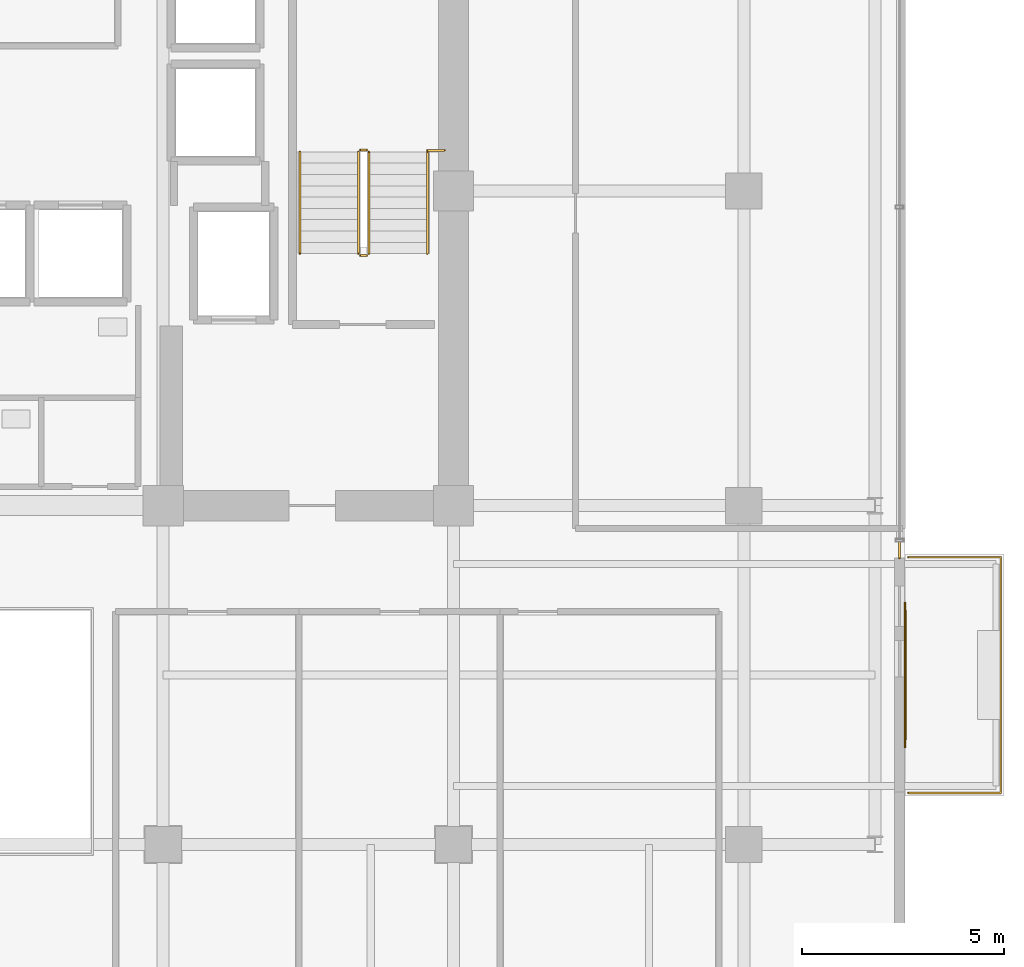
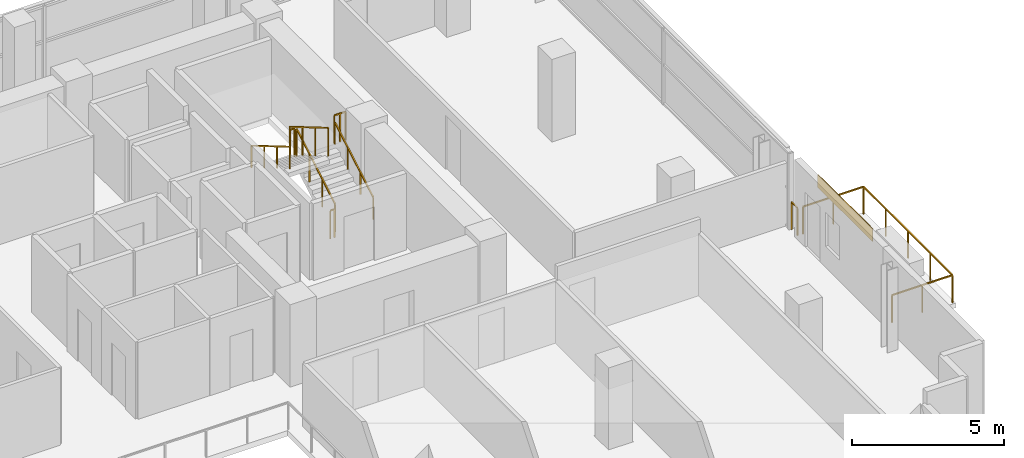
# One storey, part 26 of 27: 9 railings, 1 covering, 1 shading device.
"""IFC4 building model written with IfcOpenShell, lengths in metres."""

from ifc_helpers import new_model, si_unit, direction, frame, origin, origin_2d, place, context, subcontext, project, spatial, rectangle, extrude, source, transform, mapped, material, layer, layer_set, type_object, element, save


model = new_model("IFC4")

# Units and contexts
model_context = context("Model", 3, precision=1e-05, world=origin(), true_north=direction((0.0, 1.0)))
body_context = subcontext(model_context, "Body", "Model", "MODEL_VIEW")
ifc_project = project(units=[si_unit("LENGTHUNIT", "METRE"), si_unit("AREAUNIT", "SQUARE_METRE"), si_unit("VOLUMEUNIT", "CUBIC_METRE"), si_unit("PLANEANGLEUNIT", "RADIAN"), si_unit("MASSUNIT", "GRAM", prefix="KILO")], contexts=[model_context])

# Site, building, storey
site_placement = place(None, origin())
site = spatial("IfcSite", under=ifc_project, at=site_placement, CompositionType="ELEMENT")
building_placement = place(site_placement, origin())
building = spatial("IfcBuilding", under=site, at=building_placement, Name="Zarnakvel Exchange Tower", CompositionType="ELEMENT")
storey_placement = place(building_placement, frame((0.0, 0.0, 106.60009765625)))
storey = spatial("IfcBuildingStorey", under=building, at=storey_placement, Name="L29", CompositionType="ELEMENT", Elevation=106.60009765625)

# Railings
ifc_material_1 = material(Name="Architectural Bronze Anodised Aluminium", Category="aluminium")
railing_type_1 = type_object("IfcRailingType", Name="GR-02", PredefinedType="GUARDRAIL", material=ifc_material_1)
railing_1_placement = place(storey_placement, frame((25.679931640625, -8.320068359375, -0.03515625)))
element("IfcRailing", 1, at=railing_1_placement, inside=storey, type_object=railing_type_1, Name="L29 Balcony Guardrail BAL-L29-E", PredefinedType="GUARDRAIL", context=body_context, shape_type="SweptSolid", body=[
    extrude(rectangle(XDim=0.048095703125, YDim=0.048095703125, at=origin_2d()), frame((0.0, 0.0, 1.09619140625), z_axis=(1.0, 0.0, 0.0), x_axis=(0.0, 1.0, 0.0)), (0.0, 0.0, 1.0), 2.2900390625),
    extrude(rectangle(XDim=0.048095703125, YDim=0.048095703125, at=origin_2d()), frame((2.2900390625, 0.0, 1.09619140625), z_axis=(0.0, 1.0, 0.0), x_axis=(-1.0, 0.0, 0.0)), (0.0, 0.0, 1.0), 5.840087890625),
    extrude(rectangle(XDim=0.048095703125, YDim=0.048095703125, at=origin_2d()), frame((2.2900390625, 5.840087890625, 1.09619140625), z_axis=(-1.0, 0.0, 0.0), x_axis=(0.0, -1.0, 0.0)), (0.0, 0.0, 1.0), 2.2900390625),
    extrude(rectangle(XDim=0.0419921875, YDim=0.0419921875, at=origin_2d()), origin(), (0.0, 0.0, 1.0), 1.072021484375),
    extrude(rectangle(XDim=0.0419921875, YDim=0.0419921875, at=origin_2d()), frame((1.14501953125, 0.0, 0.0)), (0.0, 0.0, 1.0), 1.072021484375),
    extrude(rectangle(XDim=0.0419921875, YDim=0.0419921875, at=origin_2d()), frame((2.2900390625, 0.0, 0.0)), (0.0, 0.0, 1.0), 1.072021484375),
    extrude(rectangle(XDim=0.0419921875, YDim=0.0419921875, at=origin_2d()), frame((2.2900390625, 1.4599609375, 0.0)), (0.0, 0.0, 1.0), 1.072021484375),
    extrude(rectangle(XDim=0.0419921875, YDim=0.0419921875, at=origin_2d()), frame((2.2900390625, 2.919921875, 0.0)), (0.0, 0.0, 1.0), 1.072021484375),
    extrude(rectangle(XDim=0.0419921875, YDim=0.0419921875, at=origin_2d()), frame((2.2900390625, 4.380126953125, 0.0)), (0.0, 0.0, 1.0), 1.072021484375),
    extrude(rectangle(XDim=0.0419921875, YDim=0.0419921875, at=origin_2d()), frame((2.2900390625, 5.840087890625, 0.0)), (0.0, 0.0, 1.0), 1.072021484375),
    extrude(rectangle(XDim=0.0419921875, YDim=0.0419921875, at=origin_2d()), frame((1.14501953125, 5.840087890625, 0.0)), (0.0, 0.0, 1.0), 1.072021484375),
    extrude(rectangle(XDim=0.0419921875, YDim=0.0419921875, at=origin_2d()), frame((0.0, 5.840087890625, 0.0)), (0.0, 0.0, 1.0), 1.072021484375),
])
railing_2_placement = place(storey_placement, frame((25.4599609375, -2.10009765625, 0.0)))
element("IfcRailing", 2, at=railing_2_placement, inside=storey, type_object=railing_type_1, Name="L29 Corner Spandrel Balustrade #9", PredefinedType="GUARDRAIL", context=body_context, shape_type="SweptSolid", body=[
    extrude(rectangle(XDim=0.048095703125, YDim=0.048095703125, at=origin_2d()), frame((0.0, 0.0, 1.09619140625), z_axis=(0.0, -1.0, 0.0), x_axis=(1.0, 0.0, 0.0)), (0.0, 0.0, 1.0), 0.39990234375),
    extrude(rectangle(XDim=0.0419921875, YDim=0.0419921875, at=origin_2d()), origin(), (0.0, 0.0, 1.0), 1.072021484375),
    extrude(rectangle(XDim=0.0419921875, YDim=0.0419921875, at=origin_2d()), frame((0.0, -0.39990234375, 0.0)), (0.0, 0.0, 1.0), 1.072021484375),
])
ifc_material_2 = material(Name="Brushed Stainless Steel", Category="steel")
railing_type_2 = type_object("IfcRailingType", Name="HR-01", PredefinedType="HANDRAIL", material=ifc_material_2)
railing_3_placement = place(storey_placement, frame((13.75, 5.050048828125, 0.164794921875)))
element("IfcRailing", 3, at=railing_3_placement, inside=storey, type_object=railing_type_2, Name="L29 ST-02 stair handrail 1", PredefinedType="HANDRAIL", context=body_context, shape_type="SweptSolid", body=[
    extrude(rectangle(XDim=0.048095703125, YDim=0.048095703125, at=origin_2d()), frame((0.0, 0.0, 0.8759765625), z_axis=(0.0, 0.86152411907, 0.507716645641), x_axis=(-1.0, 0.0, 0.0)), (0.0, 0.0, 1.0), 2.925048828125),
    extrude(rectangle(XDim=0.0419921875, YDim=0.0419921875, at=origin_2d()), origin(), (0.0, 0.0, 1.0), 0.851806640625),
    extrude(rectangle(XDim=0.0419921875, YDim=0.0419921875, at=origin_2d()), frame((0.0, 0.840087890625, 0.4951171875)), (0.0, 0.0, 1.0), 0.851806640625),
    extrude(rectangle(XDim=0.0419921875, YDim=0.0419921875, at=origin_2d()), frame((0.0, 1.679931640625, 0.989990234375)), (0.0, 0.0, 1.0), 0.851806640625),
    extrude(rectangle(XDim=0.0419921875, YDim=0.0419921875, at=origin_2d()), frame((0.0, 2.52001953125, 1.485107421875)), (0.0, 0.0, 1.0), 0.851806640625),
])
railing_4_placement = place(storey_placement, frame((10.590087890625, 7.570068359375, 1.81494140625)))
element("IfcRailing", 4, at=railing_4_placement, inside=storey, type_object=railing_type_2, Name="L29 ST-02 stair handrail 2", PredefinedType="HANDRAIL", context=body_context, shape_type="SweptSolid", body=[
    extrude(rectangle(XDim=0.048095703125, YDim=0.048095703125, at=origin_2d()), frame((0.0, 0.0, 0.8759765625), z_axis=(0.0, -0.861560626758, 0.507654692109), x_axis=(1.0, 0.0, 0.0)), (0.0, 0.0, 1.0), 2.925048828125),
    extrude(rectangle(XDim=0.0419921875, YDim=0.0419921875, at=origin_2d()), origin(), (0.0, 0.0, 1.0), 0.851806640625),
    extrude(rectangle(XDim=0.0419921875, YDim=0.0419921875, at=origin_2d()), frame((0.0, -0.840087890625, 0.494873046875)), (0.0, 0.0, 1.0), 0.851806640625),
    extrude(rectangle(XDim=0.0419921875, YDim=0.0419921875, at=origin_2d()), frame((0.0, -1.679931640625, 0.989990234375)), (0.0, 0.0, 1.0), 0.851806640625),
    extrude(rectangle(XDim=0.0419921875, YDim=0.0419921875, at=origin_2d()), frame((0.0, -2.52001953125, 1.48486328125)), (0.0, 0.0, 1.0), 0.851806640625),
])
railing_type_3 = type_object("IfcRailingType", Name="SG-01", PredefinedType="GUARDRAIL", material=ifc_material_1)
railing_5_placement = place(storey_placement, frame((12.300048828125, 5.050048828125, 0.164794921875)))
element("IfcRailing", 5, at=railing_5_placement, inside=storey, type_object=railing_type_3, Name="L29 ST-02 stair guard 1", PredefinedType="GUARDRAIL", context=body_context, shape_type="SweptSolid", body=[
    extrude(rectangle(XDim=0.048095703125, YDim=0.048095703125, at=origin_2d()), frame((0.0, 0.0, 1.1259765625), z_axis=(0.0, 0.86152411907, 0.507716645641), x_axis=(-1.0, 0.0, 0.0)), (0.0, 0.0, 1.0), 2.925048828125),
    extrude(rectangle(XDim=0.0419921875, YDim=0.0419921875, at=origin_2d()), origin(), (0.0, 0.0, 1.0), 1.101806640625),
    extrude(rectangle(XDim=0.0419921875, YDim=0.0419921875, at=origin_2d()), frame((0.0, 0.840087890625, 0.4951171875)), (0.0, 0.0, 1.0), 1.101806640625),
    extrude(rectangle(XDim=0.0419921875, YDim=0.0419921875, at=origin_2d()), frame((0.0, 1.679931640625, 0.989990234375)), (0.0, 0.0, 1.0), 1.101806640625),
    extrude(rectangle(XDim=0.0419921875, YDim=0.0419921875, at=origin_2d()), frame((0.0, 2.52001953125, 1.485107421875)), (0.0, 0.0, 1.0), 1.101806640625),
])
railing_6_placement = place(storey_placement, frame((12.25, 7.6201171875, 1.64990234375)))
element("IfcRailing", 6, at=railing_6_placement, inside=storey, type_object=railing_type_3, Name="L29 ST-02 stair guard 2", PredefinedType="GUARDRAIL", context=body_context, shape_type="SweptSolid", body=[
    extrude(rectangle(XDim=0.048095703125, YDim=0.048095703125, at=origin_2d()), frame((0.0, 0.0, 1.1259765625), z_axis=(-1.0, 0.0, 0.0), x_axis=(0.0, -1.0, 0.0)), (0.0, 0.0, 1.0), 0.159912109375),
    extrude(rectangle(XDim=0.0419921875, YDim=0.0419921875, at=origin_2d()), origin(), (0.0, 0.0, 1.0), 1.101806640625),
    extrude(rectangle(XDim=0.0419921875, YDim=0.0419921875, at=origin_2d()), frame((-0.159912109375, 0.0, 0.0)), (0.0, 0.0, 1.0), 1.101806640625),
])
railing_7_placement = place(storey_placement, frame((12.0400390625, 7.570068359375, 1.81494140625)))
element("IfcRailing", 7, at=railing_7_placement, inside=storey, type_object=railing_type_3, Name="L29 ST-02 stair guard 3", PredefinedType="GUARDRAIL", context=body_context, shape_type="SweptSolid", body=[
    extrude(rectangle(XDim=0.048095703125, YDim=0.048095703125, at=origin_2d()), frame((0.0, 0.0, 1.1259765625), z_axis=(0.0, -0.861560626758, 0.507654692109), x_axis=(1.0, 0.0, 0.0)), (0.0, 0.0, 1.0), 2.925048828125),
    extrude(rectangle(XDim=0.0419921875, YDim=0.0419921875, at=origin_2d()), origin(), (0.0, 0.0, 1.0), 1.101806640625),
    extrude(rectangle(XDim=0.0419921875, YDim=0.0419921875, at=origin_2d()), frame((0.0, -0.840087890625, 0.494873046875)), (0.0, 0.0, 1.0), 1.101806640625),
    extrude(rectangle(XDim=0.0419921875, YDim=0.0419921875, at=origin_2d()), frame((0.0, -1.679931640625, 0.989990234375)), (0.0, 0.0, 1.0), 1.101806640625),
    extrude(rectangle(XDim=0.0419921875, YDim=0.0419921875, at=origin_2d()), frame((0.0, -2.52001953125, 1.48486328125)), (0.0, 0.0, 1.0), 1.101806640625),
])
railing_8_placement = place(storey_placement, frame((12.25, 5.0, 0.0)))
element("IfcRailing", 8, at=railing_8_placement, inside=storey, type_object=railing_type_3, Name="L29 ST-02 stair guard 4", PredefinedType="GUARDRAIL", context=body_context, shape_type="SweptSolid", body=[
    extrude(rectangle(XDim=0.048095703125, YDim=0.048095703125, at=origin_2d()), frame((0.0, 0.0, 1.1259765625), z_axis=(-1.0, 0.0, 0.0), x_axis=(0.0, -1.0, 0.0)), (0.0, 0.0, 1.0), 0.159912109375),
    extrude(rectangle(XDim=0.0419921875, YDim=0.0419921875, at=origin_2d()), origin(), (0.0, 0.0, 1.0), 1.101806640625),
    extrude(rectangle(XDim=0.0419921875, YDim=0.0419921875, at=origin_2d()), frame((-0.159912109375, 0.0, 0.0)), (0.0, 0.0, 1.0), 1.101806640625),
])
railing_9_placement = place(storey_placement, frame((13.75, 7.610107421875, 1.64990234375)))
element("IfcRailing", 9, at=railing_9_placement, inside=storey, type_object=railing_type_3, Name="L29 ST-02 Landing Slot Guardrail", PredefinedType="GUARDRAIL", context=body_context, shape_type="SweptSolid", body=[
    extrude(rectangle(XDim=0.048095703125, YDim=0.048095703125, at=origin_2d()), frame((0.0, 0.0, 1.1259765625), z_axis=(1.0, 0.0, 0.0), x_axis=(0.0, 1.0, 0.0)), (0.0, 0.0, 1.0), 0.429931640625),
    extrude(rectangle(XDim=0.0419921875, YDim=0.0419921875, at=origin_2d()), origin(), (0.0, 0.0, 1.0), 1.101806640625),
    extrude(rectangle(XDim=0.0419921875, YDim=0.0419921875, at=origin_2d()), frame((0.21484375, 0.0, 0.0)), (0.0, 0.0, 1.0), 1.101806640625),
    extrude(rectangle(XDim=0.0419921875, YDim=0.0419921875, at=origin_2d()), frame((0.429931640625, 0.0, 0.0)), (0.0, 0.0, 1.0), 1.101806640625),
])

# Covering
ifc_material_3 = material(Name="Warm Sandstone Terracotta Spandrel Tile", Category="masonry")
ifc_layer_1 = layer(ifc_material_3, 0.031982421875)
ifc_layer_set_1 = layer_set([ifc_layer_1], Name="Warm Sandstone Terracotta Spandrel Tile")
covering_type = type_object("IfcCoveringType", Name="CL-02", PredefinedType="CLADDING", material=ifc_layer_set_1)
shared_shape_1 = source(origin(), body_context, "Body", "SweptSolid", [
    extrude(rectangle(XDim=3.60009765625, YDim=0.031982421875, at=origin_2d()), origin(), (0.0, 0.0, 1.0), 0.4951171875),
])
covering_placement = place(storey_placement, frame((25.593994140625, -5.39990234375, 2.559814453125), z_axis=(0.0, 0.0, 1.0), x_axis=(0.0, -1.0, 0.0)))
element("IfcCovering", 10, at=covering_placement, inside=storey, type_object=covering_type, Name="L29 Ceramic Spandrel Tilework CL-02", PredefinedType="CLADDING", context=body_context, shape_type="MappedRepresentation", body=[
    mapped(shared_shape_1, transform((0.0, 0.0, 0.0), x_axis=(1.0, 0.0, 0.0), y_axis=(0.0, 1.0, 0.0), z_axis=(0.0, 0.0, 1.0), scale=1.0)),
])

# Shading device
ifc_material_4 = material(Name="Perforated Architectural Bronze Screen", Category="aluminium")
ifc_layer_2 = layer(ifc_material_4, 0.044921875)
ifc_layer_set_2 = layer_set([ifc_layer_2], Name="Perforated Architectural Bronze Screen")
shading_device_type = type_object("IfcShadingDeviceType", Name="SS-01", PredefinedType="JALOUSIE", material=ifc_layer_set_2)
shared_shape_2 = source(origin(), body_context, "Body", "SweptSolid", [
    extrude(rectangle(XDim=3.199951171875, YDim=0.044921875, at=origin_2d()), origin(), (0.0, 0.0, 1.0), 0.4951171875),
])
shading_device_placement = place(storey_placement, frame((25.6005859375, -5.39990234375, 2.559814453125), z_axis=(0.0, 0.0, 1.0), x_axis=(0.0, -1.0, 0.0)))
element("IfcShadingDevice", 11, at=shading_device_placement, inside=storey, type_object=shading_device_type, Name="L29 Bronze Solar Shading Screen SS-01", PredefinedType="JALOUSIE", context=body_context, shape_type="MappedRepresentation", body=[
    mapped(shared_shape_2, transform((0.0, 0.0, 0.0), x_axis=(1.0, 0.0, 0.0), y_axis=(0.0, 1.0, 0.0), z_axis=(0.0, 0.0, 1.0), scale=1.0)),
])

save(model, "model.ifc")
